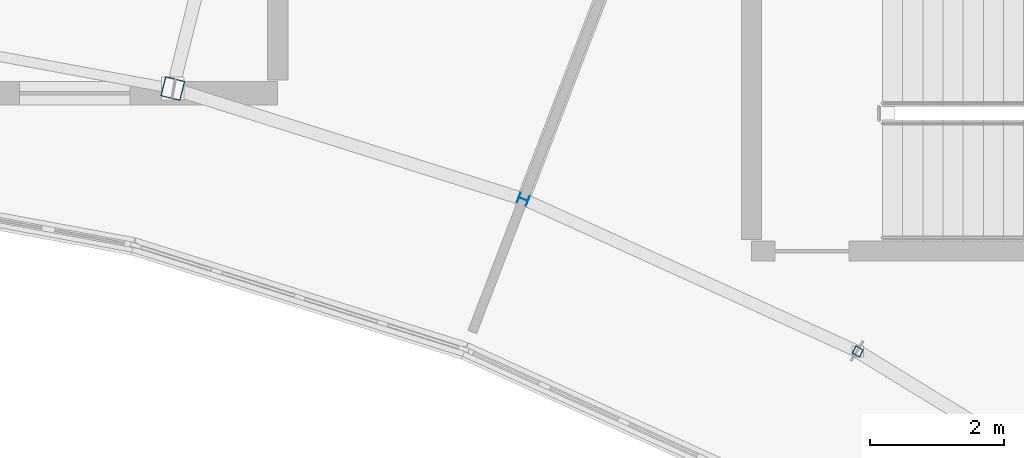
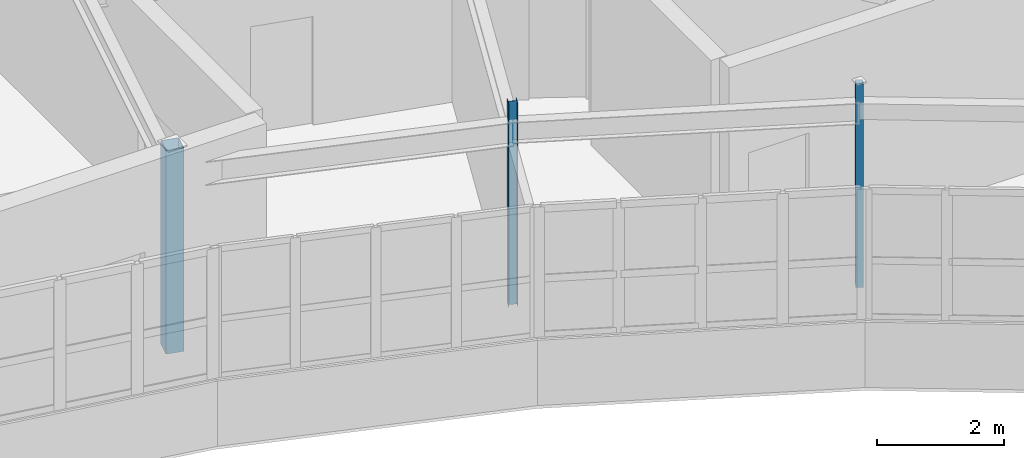
# One storey, part 11 of 60: 3 columns.
"""IFC4 building model written with IfcOpenShell, lengths in metres."""

import ifcopenshell
import ifcopenshell.guid

model = None  # the IFC model being written
_history = None  # IfcOwnerHistory: only IFC2X3 demands one
_inside = {}  # id of a spatial element -> (the spatial element, [elements in it])
_under = {}  # id of a project, library or spatial element -> (it, [spatial elements below it])
_declared = {}  # id of a project -> (the project, [libraries it declares])
_typed = {}  # id of a type object -> (the type object, [elements of that type])
_made_of = {}  # id of a material, layer set ... -> (it, [elements and type objects made of it])


def new_model(schema):
    """Start an empty IFC model of exactly this schema.

    Asked for "IFC4X3", IfcOpenShell would pick the latest addendum, in which some entities
    have other attributes; the version numbers below select the first issue.
    IFC2X3 requires an IfcOwnerHistory on every rooted entity: one is made here for all.
    """
    global model, _history
    if schema == "IFC4X3":
        model = ifcopenshell.file(schema_version=(4, 3, 0, 0))
    else:
        model = ifcopenshell.file(schema=schema)
    _inside.clear()
    _under.clear()
    _declared.clear()
    _typed.clear()
    _made_of.clear()
    _history = None
    if model.schema == "IFC2X3":
        org = make("IfcOrganization", Name="unknown")
        user = make(
            "IfcPersonAndOrganization",
            ThePerson=make("IfcPerson", FamilyName="unknown"),
            TheOrganization=org,
        )
        app = make(
            "IfcApplication",
            ApplicationDeveloper=org,
            Version="unknown",
            ApplicationFullName="unknown",
            ApplicationIdentifier="unknown",
        )
        _history = make(
            "IfcOwnerHistory",
            OwningUser=user,
            OwningApplication=app,
            ChangeAction="ADDED",
            CreationDate=0,
        )
    return model


def make(cls, **values):
    """One entity of the class cls with the attributes given. An attribute that is None is left unset."""
    return model.create_entity(
        cls, **{name: value for name, value in values.items() if value is not None}
    )


def rooted(cls, **values):
    """An entity with a GlobalId (a new one), such as an element, a storey or a relation."""
    return make(cls, GlobalId=ifcopenshell.guid.new(), OwnerHistory=_history, **values)


def si_unit(unit_type, name, prefix=None):
    """IfcSIUnit, for example si_unit("LENGTHUNIT", "METRE", prefix="MILLI")."""
    return make("IfcSIUnit", UnitType=unit_type, Prefix=prefix, Name=name)


def assignment(units):
    """IfcUnitAssignment: the units of a project."""
    return None if units is None else make("IfcUnitAssignment", Units=units)


def point(xyz):
    """IfcCartesianPoint."""
    return None if xyz is None else make("IfcCartesianPoint", Coordinates=xyz)


def direction(xyz):
    """IfcDirection."""
    return None if xyz is None else make("IfcDirection", DirectionRatios=xyz)


def frame(location, z_axis=None, x_axis=None):
    """IfcAxis2Placement3D, a coordinate frame: its origin and axes. An axis left out is left unset."""
    return make(
        "IfcAxis2Placement3D",
        Location=point(location),
        Axis=direction(z_axis),
        RefDirection=direction(x_axis),
    )


def frame_2d(location, x_axis=None):
    """IfcAxis2Placement2D, a coordinate frame in the plane: its origin and x axis."""
    return make(
        "IfcAxis2Placement2D", Location=point(location), RefDirection=direction(x_axis)
    )


def origin():
    """The frame at (0, 0, 0) with its axes left unset."""
    return frame((0.0, 0.0, 0.0))


def origin_2d():
    """The frame at (0, 0) in the plane with its x axis left unset."""
    return frame_2d((0.0, 0.0))


def place(relative_to, where):
    """IfcLocalPlacement: puts the frame where relative to a parent placement (None: the world)."""
    return make(
        "IfcLocalPlacement", PlacementRelTo=relative_to, RelativePlacement=where
    )


def context(
    kind, dimensions, precision=None, world=None, true_north=None, identifier=None
):
    """IfcGeometricRepresentationContext, for example the 3D "Model" context."""
    return make(
        "IfcGeometricRepresentationContext",
        ContextIdentifier=identifier,
        ContextType=kind,
        CoordinateSpaceDimension=dimensions,
        Precision=precision,
        WorldCoordinateSystem=world,
        TrueNorth=true_north,
    )


def subcontext(parent, identifier, kind, view, scale=None):
    """IfcGeometricRepresentationSubContext, for example "Body" below "Model"."""
    return make(
        "IfcGeometricRepresentationSubContext",
        ContextIdentifier=identifier,
        ContextType=kind,
        ParentContext=parent,
        TargetScale=scale,
        TargetView=view,
    )


def project(units=None, contexts=None):
    """IfcProject with its units and contexts."""
    return rooted(
        "IfcProject",
        Name="project",
        RepresentationContexts=contexts,
        UnitsInContext=assignment(units),
    )


def spatial(cls, under=None, at=None, **own):
    """A site, building, storey or space (cls), placed at a placement, below another one or the project."""
    s = rooted(cls, ObjectPlacement=at, **own)
    if under is not None:
        _under.setdefault(under.id(), (under, []))[1].append(s)
    return s


def profile(cls, at=None, kind="AREA", **sizes):
    """A parametric profile (cls). Its sizes go by their IFC names, for example OverallWidth=200.0."""
    return make(cls, ProfileType=kind, Position=at, **sizes)


def hollow_rectangle(**sizes):
    """IfcRectangleHollowProfileDef."""
    return profile("IfcRectangleHollowProfileDef", **sizes)


def i_section(**sizes):
    """IfcIShapeProfileDef."""
    return profile("IfcIShapeProfileDef", **sizes)


def extrude(swept, where, along, depth):
    """IfcExtrudedAreaSolid: the profile swept, set in the frame where, extruded along a direction by depth."""
    return make(
        "IfcExtrudedAreaSolid",
        SweptArea=swept,
        Position=where,
        ExtrudedDirection=direction(along),
        Depth=depth,
    )


def shape(context_of_items, identifier, shape_type, items):
    """IfcShapeRepresentation: the items that make up one representation, for example the "Body"."""
    return make(
        "IfcShapeRepresentation",
        ContextOfItems=context_of_items,
        RepresentationIdentifier=identifier,
        RepresentationType=shape_type,
        Items=items,
    )


def material(Name=None, Category=None):
    """IfcMaterial."""
    return make("IfcMaterial", Name=Name, Category=Category)


def material_profile(
    of_material, cross_section, Name=None, Category=None, Priority=None
):
    """IfcMaterialProfile: a cross section and its material."""
    return make(
        "IfcMaterialProfile",
        Name=Name,
        Material=of_material,
        Profile=cross_section,
        Priority=Priority,
        Category=Category,
    )


def profile_set(profiles, Name=None, composite=None):
    """IfcMaterialProfileSet."""
    return make(
        "IfcMaterialProfileSet",
        Name=Name,
        MaterialProfiles=profiles,
        CompositeProfile=composite,
    )


def made_of(thing, what):
    """Note that an element or type object is made of a material, layer set ...; save() writes the relation."""
    if what is not None:
        _made_of.setdefault(what.id(), (what, []))[1].append(thing)
    return thing


def type_object(cls, material=None, **own):
    """A type object (cls), such as IfcWallType, which elements share."""
    return made_of(rooted(cls, **own), material)


def element(
    cls,
    number,
    at=None,
    inside=None,
    cuts=None,
    type_object=None,
    material=None,
    context=None,
    identifier="Body",
    shape_type=None,
    held_by="IfcProductDefinitionShape",
    body=None,
    shapes=None,
    **own,
):
    """One element of the class cls, such as IfcWall. Its Tag is "e" and its number.

    at: its placement. inside: the storey or other place that contains it. cuts: it is an
    opening in that element (IfcRelVoidsElement). A single representation is given by context,
    identifier, shape_type and body (its items); several are given by shapes. held_by: the class
    of the entity that holds the representations. save() writes the other relations.
    """
    e = rooted(cls, Tag="e%d" % number, ObjectPlacement=at, **own)
    if body is not None:
        shapes = [shape(context, identifier, shape_type, body)]
    if shapes is not None:
        e.Representation = make(held_by, Representations=shapes)
    if inside is not None:
        _inside.setdefault(inside.id(), (inside, []))[1].append(e)
    if cuts is not None:
        rooted(
            "IfcRelVoidsElement", RelatingBuildingElement=cuts, RelatedOpeningElement=e
        )
    if type_object is not None:
        _typed.setdefault(type_object.id(), (type_object, []))[1].append(e)
    return made_of(e, material)


def aggregate(whole, parts):
    """IfcRelAggregates: a whole, such as a stair, and the parts it consists of."""
    return rooted("IfcRelAggregates", RelatingObject=whole, RelatedObjects=parts)


def save(model, path):
    """Write the relations noted so far, then the file.

    IfcRelAggregates (storeys below a building ...), IfcRelContainedInSpatialStructure (elements
    in a storey), IfcRelDefinesByType, IfcRelAssociatesMaterial and IfcRelDeclares: one each for
    every whole, place, type object, material and project.
    """
    for whole, parts in _under.values():
        aggregate(whole, parts)
    for where, things in _inside.values():
        rooted(
            "IfcRelContainedInSpatialStructure",
            RelatedElements=things,
            RelatingStructure=where,
        )
    for kind, things in _typed.values():
        rooted("IfcRelDefinesByType", RelatedObjects=things, RelatingType=kind)
    for what, things in _made_of.values():
        rooted("IfcRelAssociatesMaterial", RelatedObjects=things, RelatingMaterial=what)
    for by, libraries in _declared.values():
        rooted("IfcRelDeclares", RelatingContext=by, RelatedDefinitions=libraries)
    model.write(path)


model = new_model("IFC4")

# Units and contexts
model_context = context("Model", 3, precision=1e-05, world=origin(), true_north=direction((0.0, 1.0)))
body_context = subcontext(model_context, "Body", "Model", "MODEL_VIEW")
ifc_project = project(units=[si_unit("LENGTHUNIT", "METRE"), si_unit("AREAUNIT", "SQUARE_METRE"), si_unit("VOLUMEUNIT", "CUBIC_METRE"), si_unit("PLANEANGLEUNIT", "RADIAN"), si_unit("MASSUNIT", "GRAM", prefix="KILO")], contexts=[model_context])

# Site, building, storey
site_placement = place(None, origin())
site = spatial("IfcSite", under=ifc_project, at=site_placement, CompositionType="ELEMENT")
building_placement = place(site_placement, origin())
building = spatial("IfcBuilding", under=site, at=building_placement, Name="Tarnwether General Hospital", CompositionType="ELEMENT")
storey_placement = place(building_placement, frame((0.0, 0.0, 26.10009765625)))
storey = spatial("IfcBuildingStorey", under=building, at=storey_placement, Name="L06", CompositionType="ELEMENT", Elevation=26.10009765625)

# Columns
ifc_material_1 = material(Name="Steel Grade C350L0 (350 MPa)", Category="steel")
ifc_material_profile_1 = material_profile(ifc_material_1, hollow_rectangle(XDim=0.300048828125, YDim=0.300048828125, WallThickness=0.012451171875, at=origin_2d()), Name="SHS300x300x12.5")
ifc_profile_set_1 = profile_set([ifc_material_profile_1], Name="Steel Grade C350L0 (350 MPa)")
column_type_1 = type_object("IfcColumnType", Name="COL-30", PredefinedType="COLUMN", material=ifc_profile_set_1)
column_1_placement = place(storey_placement, frame((102.837890625, 106.468994140625, 0.0), z_axis=(0.0, 0.0, 1.0), x_axis=(0.2419218956, 0.970295726276, 0.0)))
element("IfcColumn", 1, at=column_1_placement, inside=storey, type_object=column_type_1, Name="Column COLG-L06-10284_10647", PredefinedType="COLUMN", context=body_context, shape_type="SweptSolid", body=[
    extrude(hollow_rectangle(XDim=0.300048828125, YDim=0.300048828125, WallThickness=0.012451171875, at=origin_2d()), origin(), (0.0, 0.0, 1.0), 3.89990234375),
])
ifc_material_2 = material(Name="Steel Grade 350 (350 MPa)", Category="steel")
ifc_material_profile_2 = material_profile(ifc_material_2, i_section(OverallWidth=0.152099609375, OverallDepth=0.152099609375, WebThickness=0.006103515625, FlangeThickness=0.0068359375, at=origin_2d()), Name="150UC23.4")
ifc_profile_set_2 = profile_set([ifc_material_profile_2], Name="Steel Grade 350 (350 MPa)")
column_type_2 = type_object("IfcColumnType", Name="COL-32", PredefinedType="COLUMN", material=ifc_profile_set_2)
column_2_placement = place(storey_placement, frame((108.054931640625, 104.823974609375, 0.0), z_axis=(0.0, 0.0, 1.0), x_axis=(0.358367949545, 0.933580426497, 0.0)))
element("IfcColumn", 2, at=column_2_placement, inside=storey, type_object=column_type_2, Name="Column COLG-L06-10806_10482", PredefinedType="COLUMN", context=body_context, shape_type="SweptSolid", body=[
    extrude(i_section(OverallWidth=0.152099609375, OverallDepth=0.152099609375, WebThickness=0.006103515625, FlangeThickness=0.0068359375, at=origin_2d()), origin(), (0.0, 0.0, 1.0), 3.89990234375),
])
ifc_material_3 = material(Name="Steel Grade C350L0 (350 MPa)", Category="steel")
ifc_material_profile_3 = material_profile(ifc_material_3, hollow_rectangle(XDim=0.125, YDim=0.125, WallThickness=0.006103515625, at=origin_2d()), Name="SHS125x125x6")
ifc_profile_set_3 = profile_set([ifc_material_profile_3], Name="Steel Grade C350L0 (350 MPa)")
column_type_3 = type_object("IfcColumnType", Name="COL-34", PredefinedType="COLUMN", material=ifc_profile_set_3)
column_3_placement = place(storey_placement, frame((113.031982421875, 102.555908203125, 0.0), z_axis=(0.0, 0.0, 1.0), x_axis=(0.469471562786, 0.882947592859, 0.0)))
element("IfcColumn", 3, at=column_3_placement, inside=storey, type_object=column_type_3, Name="Column COLG-L06-11303_10256", PredefinedType="COLUMN", context=body_context, shape_type="SweptSolid", body=[
    extrude(hollow_rectangle(XDim=0.125, YDim=0.125, WallThickness=0.006103515625, at=origin_2d()), origin(), (0.0, 0.0, 1.0), 3.89990234375),
])

save(model, "model.ifc")
